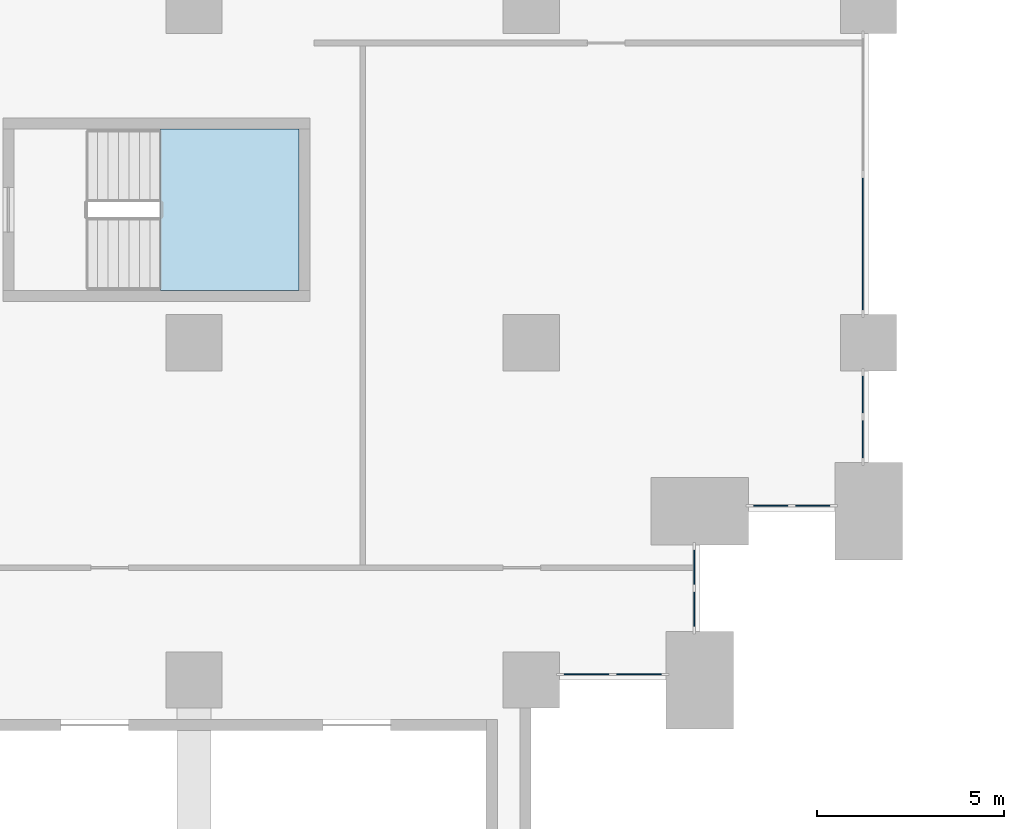
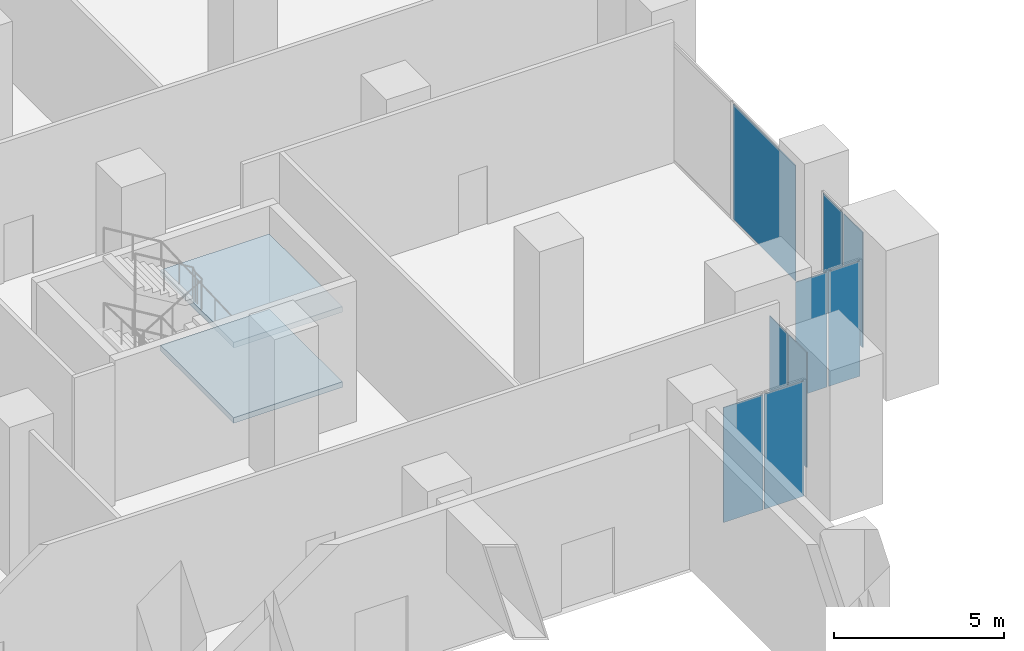
# One storey, part 12 of 43: 9 plates, 2 slabs, 6 elements without a shape of their own.
"""IFC4 building model written with IfcOpenShell, lengths in metres."""

from ifc_helpers import new_model, si_unit, direction, frame, origin, origin_2d, place, context, subcontext, project, spatial, polyline, rectangle, outline, extrude, material, layer, layer_set, type_object, element, aggregate, save


model = new_model("IFC4")

# Units and contexts
model_context = context("Model", 3, precision=1e-05, world=origin(), true_north=direction((0.0, 1.0)))
body_context = subcontext(model_context, "Body", "Model", "MODEL_VIEW")
ifc_project = project(units=[si_unit("LENGTHUNIT", "METRE"), si_unit("AREAUNIT", "SQUARE_METRE"), si_unit("VOLUMEUNIT", "CUBIC_METRE"), si_unit("PLANEANGLEUNIT", "RADIAN"), si_unit("MASSUNIT", "GRAM", prefix="KILO")], contexts=[model_context])

# Site, building, storey
site_placement = place(None, origin())
site = spatial("IfcSite", under=ifc_project, at=site_placement, CompositionType="ELEMENT")
building_placement = place(site_placement, origin())
building = spatial("IfcBuilding", under=site, at=building_placement, Name="Hunhe Ridgeline Campus", CompositionType="ELEMENT")
storey_placement = place(building_placement, frame((0.0, 0.0, 11.39990234375)))
storey = spatial("IfcBuildingStorey", under=building, at=storey_placement, Name="L02", CompositionType="ELEMENT", Elevation=11.39990234375)

# Curtain wall, plates
ifc_material_1 = material(Name="Aluminium and glass", Category="aluminium")
curtain_wall_type = type_object("IfcCurtainWallType", Name="Podium curtain wall CW-2", PredefinedType="NOTDEFINED", material=ifc_material_1)
curtain_wall_1_placement = place(storey_placement, origin())
curtain_wall_1 = element("IfcCurtainWall", 1, at=curtain_wall_1_placement, inside=storey, type_object=curtain_wall_type, Name="L02 podium curtain wall 1", PredefinedType="NOTDEFINED")
ifc_material_2 = material(Name="Clear glass", Category="glass")
ifc_layer_1 = layer(ifc_material_2, 0.028076171875)
ifc_layer_set_1 = layer_set([ifc_layer_1], Name="CW-2 clear glass panel 28")
plate_type = type_object("IfcPlateType", Name="CW-2 clear glass panel 28", PredefinedType="CURTAIN_PANEL", material=ifc_layer_set_1)
plate_1_placement = place(storey_placement, frame((91.4775390625, 54.14990234375, 0.06005859375), z_axis=(0.0, 0.0, 1.0), x_axis=(1.0, 0.0, 0.0)))
plate_1 = element("IfcPlate", 2, at=plate_1_placement, type_object=plate_type, Name="CW2 panel 1.1", PredefinedType="CURTAIN_PANEL", context=body_context, shape_type="SweptSolid", body=[
    extrude(rectangle(XDim=1.3349609375, YDim=0.028076171875, at=origin_2d()), origin(), (0.0, 0.0, 1.0), 4.1298828125),
])
plate_2_placement = place(storey_placement, frame((92.87255859375, 54.14990234375, 0.06005859375), z_axis=(0.0, 0.0, 1.0), x_axis=(1.0, 0.0, 0.0)))
plate_2 = element("IfcPlate", 3, at=plate_2_placement, type_object=plate_type, Name="CW2 panel 2.1", PredefinedType="CURTAIN_PANEL", context=body_context, shape_type="SweptSolid", body=[
    extrude(rectangle(XDim=1.3349609375, YDim=0.028076171875, at=origin_2d()), origin(), (0.0, 0.0, 1.0), 4.1298828125),
])
aggregate(curtain_wall_1, [plate_1, plate_2])

curtain_wall_2_placement = place(storey_placement, origin())
curtain_wall_2 = element("IfcCurtainWall", 4, at=curtain_wall_2_placement, inside=storey, type_object=curtain_wall_type, Name="L02 podium curtain wall 2", PredefinedType="NOTDEFINED")
plate_3_placement = place(storey_placement, frame((94.35009765625, 55.889892578125, 0.06005859375), z_axis=(0.0, 0.0, 1.0), x_axis=(0.0, 1.0, 0.0)))
plate_3 = element("IfcPlate", 5, at=plate_3_placement, type_object=plate_type, Name="CW2 panel 1.1", PredefinedType="CURTAIN_PANEL", context=body_context, shape_type="SweptSolid", body=[
    extrude(rectangle(XDim=1.06005859375, YDim=0.028076171875, at=origin_2d()), origin(), (0.0, 0.0, 1.0), 4.1298828125),
])
plate_4_placement = place(storey_placement, frame((94.35009765625, 57.010009765625, 0.06005859375), z_axis=(0.0, 0.0, 1.0), x_axis=(0.0, 1.0, 0.0)))
plate_4 = element("IfcPlate", 6, at=plate_4_placement, type_object=plate_type, Name="CW2 panel 2.1", PredefinedType="CURTAIN_PANEL", context=body_context, shape_type="SweptSolid", body=[
    extrude(rectangle(XDim=1.06005859375, YDim=0.028076171875, at=origin_2d()), origin(), (0.0, 0.0, 1.0), 4.1298828125),
])
aggregate(curtain_wall_2, [plate_3, plate_4])

curtain_wall_3_placement = place(storey_placement, origin())
curtain_wall_3 = element("IfcCurtainWall", 7, at=curtain_wall_3_placement, inside=storey, type_object=curtain_wall_type, Name="L02 podium curtain wall 3", PredefinedType="NOTDEFINED")
plate_5_placement = place(storey_placement, frame((96.389892578125, 58.64990234375, 0.06005859375), z_axis=(0.0, 0.0, 1.0), x_axis=(1.0, 0.0, 0.0)))
plate_5 = element("IfcPlate", 8, at=plate_5_placement, type_object=plate_type, Name="CW2 panel 1.1", PredefinedType="CURTAIN_PANEL", context=body_context, shape_type="SweptSolid", body=[
    extrude(rectangle(XDim=1.06005859375, YDim=0.028076171875, at=origin_2d()), origin(), (0.0, 0.0, 1.0), 4.1298828125),
])
plate_6_placement = place(storey_placement, frame((97.510009765625, 58.64990234375, 0.06005859375), z_axis=(0.0, 0.0, 1.0), x_axis=(1.0, 0.0, 0.0)))
plate_6 = element("IfcPlate", 9, at=plate_6_placement, type_object=plate_type, Name="CW2 panel 2.1", PredefinedType="CURTAIN_PANEL", context=body_context, shape_type="SweptSolid", body=[
    extrude(rectangle(XDim=1.06005859375, YDim=0.028076171875, at=origin_2d()), origin(), (0.0, 0.0, 1.0), 4.1298828125),
])
aggregate(curtain_wall_3, [plate_5, plate_6])

curtain_wall_4_placement = place(storey_placement, origin())
curtain_wall_4 = element("IfcCurtainWall", 10, at=curtain_wall_4_placement, inside=storey, type_object=curtain_wall_type, Name="L02 podium curtain wall 4", PredefinedType="NOTDEFINED")
plate_7_placement = place(storey_placement, frame((98.85009765625, 60.427490234375, 0.06005859375), z_axis=(0.0, 0.0, 1.0), x_axis=(0.0, 1.0, 0.0)))
plate_7 = element("IfcPlate", 11, at=plate_7_placement, type_object=plate_type, Name="CW2 panel 1.1", PredefinedType="CURTAIN_PANEL", context=body_context, shape_type="SweptSolid", body=[
    extrude(rectangle(XDim=1.135009765625, YDim=0.028076171875, at=origin_2d()), origin(), (0.0, 0.0, 1.0), 4.1298828125),
])
plate_8_placement = place(storey_placement, frame((98.85009765625, 61.62255859375, 0.06005859375), z_axis=(0.0, 0.0, 1.0), x_axis=(0.0, 1.0, 0.0)))
plate_8 = element("IfcPlate", 12, at=plate_8_placement, type_object=plate_type, Name="CW2 panel 2.1", PredefinedType="CURTAIN_PANEL", context=body_context, shape_type="SweptSolid", body=[
    extrude(rectangle(XDim=1.135009765625, YDim=0.028076171875, at=origin_2d()), origin(), (0.0, 0.0, 1.0), 4.1298828125),
])
aggregate(curtain_wall_4, [plate_7, plate_8])

# Curtain wall, plate
curtain_wall_5_placement = place(storey_placement, origin())
curtain_wall_5 = element("IfcCurtainWall", 13, at=curtain_wall_5_placement, inside=storey, type_object=curtain_wall_type, Name="L02 podium curtain wall 5", PredefinedType="NOTDEFINED")
plate_9_placement = place(storey_placement, frame((98.85009765625, 65.639892578125, 0.06005859375), z_axis=(0.0, 0.0, 1.0), x_axis=(0.0, 1.0, 0.0)))
plate_9 = element("IfcPlate", 14, at=plate_9_placement, type_object=plate_type, Name="CW2 panel 1.1", PredefinedType="CURTAIN_PANEL", context=body_context, shape_type="SweptSolid", body=[
    extrude(rectangle(XDim=3.659912109375, YDim=0.028076171875, at=origin_2d()), origin(), (0.0, 0.0, 1.0), 4.1298828125),
])
aggregate(curtain_wall_5, [plate_9])

# Stair, slabs
ifc_material_3 = material(Name="Concrete C40", Category="concrete")
stair_type = type_object("IfcStairType", Name="Reinforced concrete dog-leg stair 1950 Concrete C40", PredefinedType="HALF_TURN_STAIR", material=ifc_material_3)
stair_placement = place(storey_placement, origin())
stair = element("IfcStair", 15, at=stair_placement, inside=storey, type_object=stair_type, Name="L02 E5", PredefinedType="HALF_TURN_STAIR")
ifc_layer_2 = layer(ifc_material_3, 0.199951171875)
ifc_layer_set_2 = layer_set([ifc_layer_2], Name="Reinforced concrete stair landing 200 Concrete C40")
slab_type = type_object("IfcSlabType", Name="Reinforced concrete stair landing 200 Concrete C40", PredefinedType="LANDING", material=ifc_layer_set_2)
slab_1_placement = place(storey_placement, frame((0.0, 0.0, 1.150146484375)))
slab_1 = element("IfcSlab", 16, at=slab_1_placement, type_object=slab_type, Name="ST10 landing 1", PredefinedType="LANDING", context=body_context, shape_type="SweptSolid", body=[
    extrude(outline(polyline([(80.110107421875, 64.39990234375), (83.800048828125, 64.39990234375), (83.800048828125, 68.699951171875), (80.110107421875, 68.699951171875), (80.110107421875, 64.39990234375)])), origin(), (0.0, 0.0, 1.0), 0.199951171875),
])
slab_2_placement = place(storey_placement, frame((0.0, 0.0, 3.85009765625)))
slab_2 = element("IfcSlab", 17, at=slab_2_placement, type_object=slab_type, Name="ST10 landing 3", PredefinedType="LANDING", context=body_context, shape_type="SweptSolid", body=[
    extrude(outline(polyline([(80.110107421875, 64.39990234375), (83.800048828125, 64.39990234375), (83.800048828125, 68.699951171875), (80.110107421875, 68.699951171875), (80.110107421875, 64.39990234375)])), origin(), (0.0, 0.0, 1.0), 0.199951171875),
])
aggregate(stair, [slab_1, slab_2])

save(model, "model.ifc")
